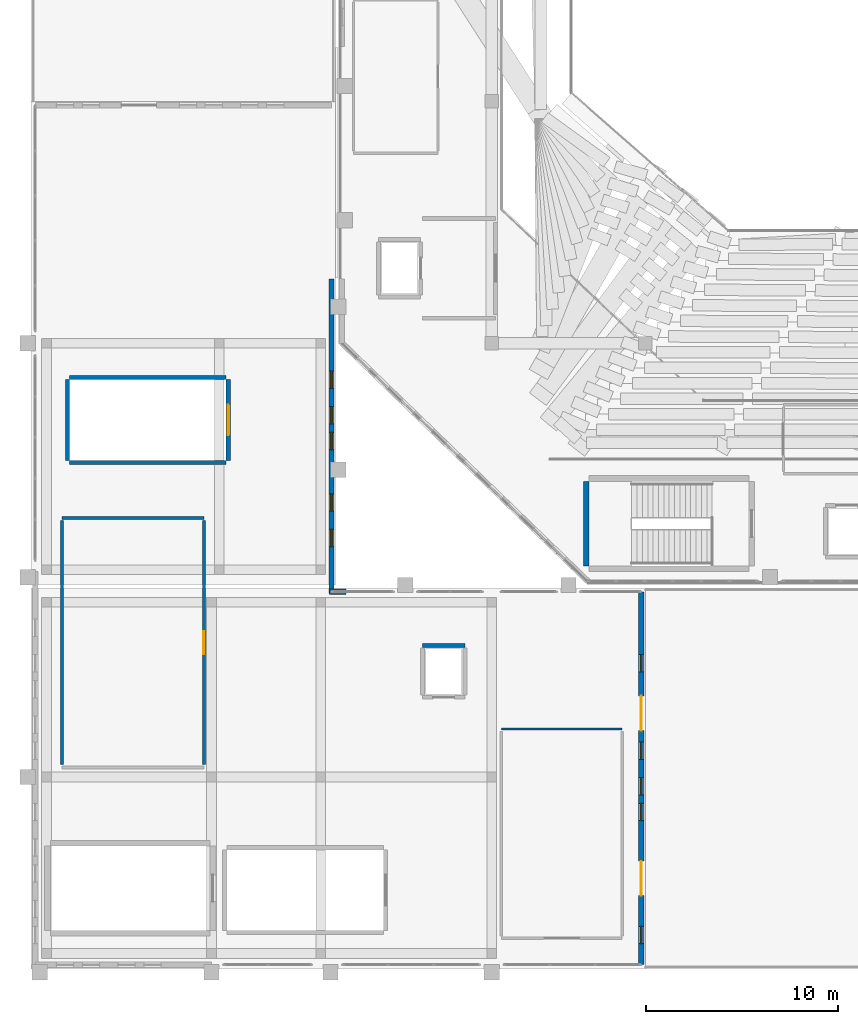
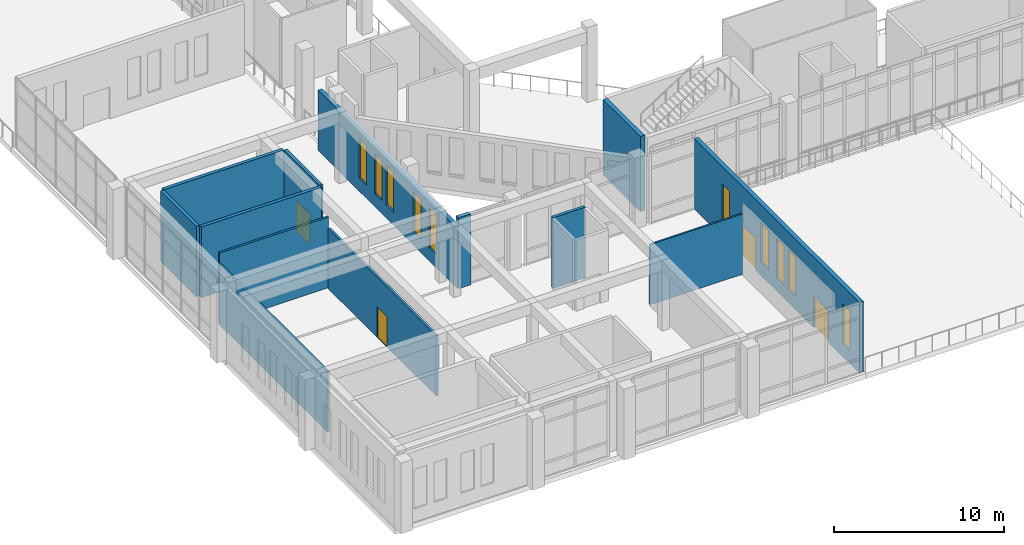
# One storey, part 43 of 55: 13 walls, 10 windows, 4 doors, 14 openings.
"""IFC4 building model written with IfcOpenShell, lengths in metres."""

from ifc_helpers import new_model, si_unit, derived_unit, direction, frame, frame_2d, origin, place, context, subcontext, project, spatial, rectangle, extrude, material, layer, layer_set, type_object, element, fill, save


model = new_model("IFC4")

# Units and contexts
model_context = context("Model", 3, precision=1e-05, world=origin(), true_north=direction((0.0, 1.0)))
body_context = subcontext(model_context, "Body", "Model", "MODEL_VIEW")
ifc_project = project(units=[si_unit("LENGTHUNIT", "METRE"), si_unit("AREAUNIT", "SQUARE_METRE"), si_unit("VOLUMEUNIT", "CUBIC_METRE"), si_unit("PLANEANGLEUNIT", "RADIAN"), si_unit("MASSUNIT", "GRAM", prefix="KILO"), derived_unit("THERMALTRANSMITTANCEUNIT", [(si_unit("MASSUNIT", "GRAM", prefix="KILO"), 1), (si_unit("TIMEUNIT", "SECOND"), -3), (si_unit("THERMODYNAMICTEMPERATUREUNIT", "KELVIN"), -1)])], contexts=[model_context])

# Site, building, storey
site_placement = place(None, origin())
site = spatial("IfcSite", under=ifc_project, at=site_placement, CompositionType="ELEMENT")
building_placement = place(site_placement, origin())
building = spatial("IfcBuilding", under=site, at=building_placement, Name="Valcora Ridge Arena", CompositionType="ELEMENT")
storey_placement = place(building_placement, frame((0.0, 0.0, 21.0)))
storey = spatial("IfcBuildingStorey", under=building, at=storey_placement, Name="L04", CompositionType="ELEMENT", Elevation=21.0)

# Wall, openings, windows
ifc_material_1 = material(Name="Bush-hammered Andean travertine on concrete backup C40/50", Category="masonry")
ifc_layer_1 = layer(ifc_material_1, 0.280029296875, Name="Bush-hammered Andean travertine on concrete backup C40/50")
ifc_layer_set_1 = layer_set([ifc_layer_1], Name="Bush-hammered Andean travertine on concrete backup C40/50")
wall_type_1 = type_object("IfcWallType", Name="TY-WALL-EW-TRV-28-43", PredefinedType="STANDARD", material=ifc_layer_set_1)
wall_1_placement = place(storey_placement, frame((15.64990234375, 19.550048828125, 0.0), z_axis=(0.0, 0.0, 1.0), x_axis=(0.0, 1.0, 0.0)))
wall_1 = element("IfcWall", 1, at=wall_1_placement, inside=storey, type_object=wall_type_1, Name="EW-TRV-28-43 WAL-EW-0102", PredefinedType="STANDARD", context=body_context, shape_type="SweptSolid", body=[
    extrude(rectangle(XDim=16.39990234375, YDim=0.280029296875, at=frame_2d((8.199951171875, 0.0))), origin(), (0.0, 0.0, 1.0), 4.330078125),
])
opening_1_placement = place(wall_1_placement, frame((2.449951171875, 0.0, 0.949951171875)))
opening_1 = element("IfcOpeningElement", 2, at=opening_1_placement, cuts=wall_1, Name="Opening W-GLAN-90X285", PredefinedType="OPENING", context=body_context, shape_type="SweptSolid", body=[
    extrude(rectangle(XDim=0.89990234375, YDim=2.85009765625, at=frame_2d((0.449951171875, 1.425048828125))), frame((0.0, 0.14990234375, 0.0), z_axis=(0.0, -1.0, 0.0), x_axis=(1.0, 0.0, 0.0)), (0.0, 0.0, 1.0), 0.300048828125),
])
opening_2_placement = place(wall_1_placement, frame((4.300048828125, 0.0, 0.949951171875)))
opening_2 = element("IfcOpeningElement", 3, at=opening_2_placement, cuts=wall_1, Name="Opening W-GLAN-90X285", PredefinedType="OPENING", context=body_context, shape_type="SweptSolid", body=[
    extrude(rectangle(XDim=0.89990234375, YDim=2.85009765625, at=frame_2d((0.449951171875, 1.425048828125))), frame((0.0, 0.14990234375, 0.0), z_axis=(0.0, -1.0, 0.0), x_axis=(1.0, 0.0, 0.0)), (0.0, 0.0, 1.0), 0.300048828125),
])
opening_3_placement = place(wall_1_placement, frame((7.5, 0.0, 0.949951171875)))
opening_3 = element("IfcOpeningElement", 4, at=opening_3_placement, cuts=wall_1, Name="Opening W-GLAN-90X285", PredefinedType="OPENING", context=body_context, shape_type="SweptSolid", body=[
    extrude(rectangle(XDim=0.89990234375, YDim=2.85009765625, at=frame_2d((0.449951171875, 1.425048828125))), frame((0.0, 0.14990234375, 0.0), z_axis=(0.0, -1.0, 0.0), x_axis=(1.0, 0.0, 0.0)), (0.0, 0.0, 1.0), 0.300048828125),
])
opening_4_placement = place(wall_1_placement, frame((8.85009765625, 0.0, 0.949951171875)))
opening_4 = element("IfcOpeningElement", 5, at=opening_4_placement, cuts=wall_1, Name="Opening W-GLAN-90X285", PredefinedType="OPENING", context=body_context, shape_type="SweptSolid", body=[
    extrude(rectangle(XDim=0.89990234375, YDim=2.85009765625, at=frame_2d((0.449951171875, 1.425048828125))), frame((0.0, 0.14990234375, 0.0), z_axis=(0.0, -1.0, 0.0), x_axis=(1.0, 0.0, 0.0)), (0.0, 0.0, 1.0), 0.300048828125),
])
opening_5_placement = place(wall_1_placement, frame((10.699951171875, 0.0, 0.949951171875)))
opening_5 = element("IfcOpeningElement", 6, at=opening_5_placement, cuts=wall_1, Name="Opening W-GLAN-90X285", PredefinedType="OPENING", context=body_context, shape_type="SweptSolid", body=[
    extrude(rectangle(XDim=0.89990234375, YDim=2.85009765625, at=frame_2d((0.449951171875, 1.425048828125))), frame((0.0, 0.14990234375, 0.0), z_axis=(0.0, -1.0, 0.0), x_axis=(1.0, 0.0, 0.0)), (0.0, 0.0, 1.0), 0.300048828125),
])
ifc_material_2 = material(Name="Low-iron solar-control double glazing SHGC 0.28", Category="glass")
window_type = type_object("IfcWindowType", Name="TY-WINDOW-W-GLAN-90X285", PartitioningType="DOUBLE_PANEL_VERTICAL", PredefinedType="WINDOW", material=ifc_material_2)
window_1_placement = place(opening_1_placement, origin())
window_1 = element("IfcWindow", 7, at=window_1_placement, inside=storey, type_object=window_type, Name="W-GLAN-90X285 WIN-EX-0337", OverallHeight=2.85009765625, OverallWidth=0.89990234375, PartitioningType="DOUBLE_PANEL_VERTICAL", PredefinedType="WINDOW", context=body_context, shape_type="SweptSolid", body=[
    extrude(rectangle(XDim=0.89990234375, YDim=2.85009765625, at=frame_2d((0.449951171875, 1.425048828125))), frame((0.0, 0.030029296875, 0.0), z_axis=(0.0, -1.0, 0.0), x_axis=(1.0, 0.0, 0.0)), (0.0, 0.0, 1.0), 0.06005859375),
])
fill(opening_1, window_1)
window_2_placement = place(opening_2_placement, origin())
window_2 = element("IfcWindow", 8, at=window_2_placement, inside=storey, type_object=window_type, Name="W-GLAN-90X285 WIN-EX-0338", OverallHeight=2.85009765625, OverallWidth=0.89990234375, PartitioningType="DOUBLE_PANEL_VERTICAL", PredefinedType="WINDOW", context=body_context, shape_type="SweptSolid", body=[
    extrude(rectangle(XDim=0.89990234375, YDim=2.85009765625, at=frame_2d((0.449951171875, 1.425048828125))), frame((0.0, 0.030029296875, 0.0), z_axis=(0.0, -1.0, 0.0), x_axis=(1.0, 0.0, 0.0)), (0.0, 0.0, 1.0), 0.06005859375),
])
fill(opening_2, window_2)
window_3_placement = place(opening_3_placement, origin())
window_3 = element("IfcWindow", 9, at=window_3_placement, inside=storey, type_object=window_type, Name="W-GLAN-90X285 WIN-EX-0339", OverallHeight=2.85009765625, OverallWidth=0.89990234375, PartitioningType="DOUBLE_PANEL_VERTICAL", PredefinedType="WINDOW", context=body_context, shape_type="SweptSolid", body=[
    extrude(rectangle(XDim=0.89990234375, YDim=2.85009765625, at=frame_2d((0.449951171875, 1.425048828125))), frame((0.0, 0.030029296875, 0.0), z_axis=(0.0, -1.0, 0.0), x_axis=(1.0, 0.0, 0.0)), (0.0, 0.0, 1.0), 0.06005859375),
])
fill(opening_3, window_3)
window_4_placement = place(opening_4_placement, origin())
window_4 = element("IfcWindow", 10, at=window_4_placement, inside=storey, type_object=window_type, Name="W-GLAN-90X285 WIN-EX-0340", OverallHeight=2.85009765625, OverallWidth=0.89990234375, PartitioningType="DOUBLE_PANEL_VERTICAL", PredefinedType="WINDOW", context=body_context, shape_type="SweptSolid", body=[
    extrude(rectangle(XDim=0.89990234375, YDim=2.85009765625, at=frame_2d((0.449951171875, 1.425048828125))), frame((0.0, 0.030029296875, 0.0), z_axis=(0.0, -1.0, 0.0), x_axis=(1.0, 0.0, 0.0)), (0.0, 0.0, 1.0), 0.06005859375),
])
fill(opening_4, window_4)
window_5_placement = place(opening_5_placement, origin())
window_5 = element("IfcWindow", 11, at=window_5_placement, inside=storey, type_object=window_type, Name="W-GLAN-90X285 WIN-EX-0341", OverallHeight=2.85009765625, OverallWidth=0.89990234375, PartitioningType="DOUBLE_PANEL_VERTICAL", PredefinedType="WINDOW", context=body_context, shape_type="SweptSolid", body=[
    extrude(rectangle(XDim=0.89990234375, YDim=2.85009765625, at=frame_2d((0.449951171875, 1.425048828125))), frame((0.0, 0.030029296875, 0.0), z_axis=(0.0, -1.0, 0.0), x_axis=(1.0, 0.0, 0.0)), (0.0, 0.0, 1.0), 0.06005859375),
])
fill(opening_5, window_5)

# Wall, openings, doors, windows
ifc_layer_2 = layer(ifc_material_1, 0.280029296875, Name="Bush-hammered Andean travertine on concrete backup C40/50")
ifc_layer_set_2 = layer_set([ifc_layer_2], Name="Bush-hammered Andean travertine on concrete backup C40/50")
wall_type_2 = type_object("IfcWallType", Name="TY-WALL-EW-TRV-28-51", PredefinedType="STANDARD", material=ifc_layer_set_2)
wall_2_placement = place(storey_placement, frame((31.800048828125, 0.219970703125, 0.0), z_axis=(0.0, 0.0, 1.0), x_axis=(0.0, 1.0, 0.0)))
wall_2 = element("IfcWall", 12, at=wall_2_placement, inside=storey, type_object=wall_type_2, Name="EW-TRV-28-51 WAL-EW-0099", PredefinedType="STANDARD", context=body_context, shape_type="SweptSolid", body=[
    extrude(rectangle(XDim=19.429931640625, YDim=0.280029296875, at=frame_2d((9.71484375, 0.0))), origin(), (0.0, 0.0, 1.0), 5.080078125),
])
opening_6_placement = place(wall_2_placement, frame((3.60009765625, 0.0, 0.0)))
opening_6 = element("IfcOpeningElement", 13, at=opening_6_placement, cuts=wall_2, Name="Opening D-TERR-1800", PredefinedType="OPENING", context=body_context, shape_type="SweptSolid", body=[
    extrude(rectangle(XDim=1.800048828125, YDim=2.300048828125, at=frame_2d((0.89990234375, 1.14990234375))), frame((0.0, 0.14990234375, 0.0), z_axis=(0.0, -1.0, 0.0), x_axis=(1.0, 0.0, 0.0)), (0.0, 0.0, 1.0), 0.300048828125),
])
opening_7_placement = place(wall_2_placement, frame((12.199951171875, 0.0, 0.0)))
opening_7 = element("IfcOpeningElement", 14, at=opening_7_placement, cuts=wall_2, Name="Opening D-TERR-1800", PredefinedType="OPENING", context=body_context, shape_type="SweptSolid", body=[
    extrude(rectangle(XDim=1.800048828125, YDim=2.300048828125, at=frame_2d((0.89990234375, 1.14990234375))), frame((0.0, 0.14990234375, 0.0), z_axis=(0.0, -1.0, 0.0), x_axis=(1.0, 0.0, 0.0)), (0.0, 0.0, 1.0), 0.300048828125),
])
opening_8_placement = place(wall_2_placement, frame((1.10009765625, 0.0, 0.949951171875)))
opening_8 = element("IfcOpeningElement", 15, at=opening_8_placement, cuts=wall_2, Name="Opening W-GLAN-90X285", PredefinedType="OPENING", context=body_context, shape_type="SweptSolid", body=[
    extrude(rectangle(XDim=0.89990234375, YDim=2.85009765625, at=frame_2d((0.449951171875, 1.425048828125))), frame((0.0, 0.14990234375, 0.0), z_axis=(0.0, -1.0, 0.0), x_axis=(1.0, 0.0, 0.0)), (0.0, 0.0, 1.0), 0.300048828125),
])
opening_9_placement = place(wall_2_placement, frame((7.5, 0.0, 0.949951171875)))
opening_9 = element("IfcOpeningElement", 16, at=opening_9_placement, cuts=wall_2, Name="Opening W-GLAN-90X285", PredefinedType="OPENING", context=body_context, shape_type="SweptSolid", body=[
    extrude(rectangle(XDim=0.89990234375, YDim=2.85009765625, at=frame_2d((0.449951171875, 1.425048828125))), frame((0.0, 0.14990234375, 0.0), z_axis=(0.0, -1.0, 0.0), x_axis=(1.0, 0.0, 0.0)), (0.0, 0.0, 1.0), 0.300048828125),
])
opening_10_placement = place(wall_2_placement, frame((8.85009765625, 0.0, 0.949951171875)))
opening_10 = element("IfcOpeningElement", 17, at=opening_10_placement, cuts=wall_2, Name="Opening W-GLAN-90X285", PredefinedType="OPENING", context=body_context, shape_type="SweptSolid", body=[
    extrude(rectangle(XDim=0.89990234375, YDim=2.85009765625, at=frame_2d((0.449951171875, 1.425048828125))), frame((0.0, 0.14990234375, 0.0), z_axis=(0.0, -1.0, 0.0), x_axis=(1.0, 0.0, 0.0)), (0.0, 0.0, 1.0), 0.300048828125),
])
opening_11_placement = place(wall_2_placement, frame((10.699951171875, 0.0, 0.949951171875)))
opening_11 = element("IfcOpeningElement", 18, at=opening_11_placement, cuts=wall_2, Name="Opening W-GLAN-90X285", PredefinedType="OPENING", context=body_context, shape_type="SweptSolid", body=[
    extrude(rectangle(XDim=0.89990234375, YDim=2.85009765625, at=frame_2d((0.449951171875, 1.425048828125))), frame((0.0, 0.14990234375, 0.0), z_axis=(0.0, -1.0, 0.0), x_axis=(1.0, 0.0, 0.0)), (0.0, 0.0, 1.0), 0.300048828125),
])
opening_12_placement = place(wall_2_placement, frame((15.25, 0.0, 0.949951171875)))
opening_12 = element("IfcOpeningElement", 19, at=opening_12_placement, cuts=wall_2, Name="Opening W-GLAN-90X285", PredefinedType="OPENING", context=body_context, shape_type="SweptSolid", body=[
    extrude(rectangle(XDim=0.89990234375, YDim=2.85009765625, at=frame_2d((0.449951171875, 1.425048828125))), frame((0.0, 0.14990234375, 0.0), z_axis=(0.0, -1.0, 0.0), x_axis=(1.0, 0.0, 0.0)), (0.0, 0.0, 1.0), 0.300048828125),
])
ifc_material_3 = material(Name="Thermally broken bronze aluminium glazed entrance leaf", Category="aluminium")
door_type_1 = type_object("IfcDoorType", Name="TY-DOOR-D-TERR-1800", OperationType="NOTDEFINED", PredefinedType="DOOR", material=ifc_material_3)
door_1_placement = place(opening_6_placement, origin())
door_1 = element("IfcDoor", 20, at=door_1_placement, inside=storey, type_object=door_type_1, Name="D-TERR-1800 DOR-EX-0021", OperationType="DOUBLE_DOOR_SINGLE_SWING", OverallHeight=2.300048828125, OverallWidth=1.800048828125, PredefinedType="DOOR", context=body_context, shape_type="SweptSolid", body=[
    extrude(rectangle(XDim=1.800048828125, YDim=2.300048828125, at=frame_2d((0.89990234375, 1.14990234375))), frame((0.0, 0.02490234375, 0.0), z_axis=(0.0, -1.0, 0.0), x_axis=(1.0, 0.0, 0.0)), (0.0, 0.0, 1.0), 0.050048828125),
])
fill(opening_6, door_1)
door_2_placement = place(opening_7_placement, origin())
door_2 = element("IfcDoor", 21, at=door_2_placement, inside=storey, type_object=door_type_1, Name="D-TERR-1800 DOR-EX-0022", OperationType="DOUBLE_DOOR_SINGLE_SWING", OverallHeight=2.300048828125, OverallWidth=1.800048828125, PredefinedType="DOOR", context=body_context, shape_type="SweptSolid", body=[
    extrude(rectangle(XDim=1.800048828125, YDim=2.300048828125, at=frame_2d((0.89990234375, 1.14990234375))), frame((0.0, 0.02490234375, 0.0), z_axis=(0.0, -1.0, 0.0), x_axis=(1.0, 0.0, 0.0)), (0.0, 0.0, 1.0), 0.050048828125),
])
fill(opening_7, door_2)
window_6_placement = place(opening_8_placement, origin())
window_6 = element("IfcWindow", 22, at=window_6_placement, inside=storey, type_object=window_type, Name="W-GLAN-90X285 WIN-EX-0316", OverallHeight=2.85009765625, OverallWidth=0.89990234375, PartitioningType="DOUBLE_PANEL_VERTICAL", PredefinedType="WINDOW", context=body_context, shape_type="SweptSolid", body=[
    extrude(rectangle(XDim=0.89990234375, YDim=2.85009765625, at=frame_2d((0.449951171875, 1.425048828125))), frame((0.0, 0.030029296875, 0.0), z_axis=(0.0, -1.0, 0.0), x_axis=(1.0, 0.0, 0.0)), (0.0, 0.0, 1.0), 0.06005859375),
])
fill(opening_8, window_6)
window_7_placement = place(opening_9_placement, origin())
window_7 = element("IfcWindow", 23, at=window_7_placement, inside=storey, type_object=window_type, Name="W-GLAN-90X285 WIN-EX-0317", OverallHeight=2.85009765625, OverallWidth=0.89990234375, PartitioningType="DOUBLE_PANEL_VERTICAL", PredefinedType="WINDOW", context=body_context, shape_type="SweptSolid", body=[
    extrude(rectangle(XDim=0.89990234375, YDim=2.85009765625, at=frame_2d((0.449951171875, 1.425048828125))), frame((0.0, 0.030029296875, 0.0), z_axis=(0.0, -1.0, 0.0), x_axis=(1.0, 0.0, 0.0)), (0.0, 0.0, 1.0), 0.06005859375),
])
fill(opening_9, window_7)
window_8_placement = place(opening_10_placement, origin())
window_8 = element("IfcWindow", 24, at=window_8_placement, inside=storey, type_object=window_type, Name="W-GLAN-90X285 WIN-EX-0318", OverallHeight=2.85009765625, OverallWidth=0.89990234375, PartitioningType="DOUBLE_PANEL_VERTICAL", PredefinedType="WINDOW", context=body_context, shape_type="SweptSolid", body=[
    extrude(rectangle(XDim=0.89990234375, YDim=2.85009765625, at=frame_2d((0.449951171875, 1.425048828125))), frame((0.0, 0.030029296875, 0.0), z_axis=(0.0, -1.0, 0.0), x_axis=(1.0, 0.0, 0.0)), (0.0, 0.0, 1.0), 0.06005859375),
])
fill(opening_10, window_8)
window_9_placement = place(opening_11_placement, origin())
window_9 = element("IfcWindow", 25, at=window_9_placement, inside=storey, type_object=window_type, Name="W-GLAN-90X285 WIN-EX-0319", OverallHeight=2.85009765625, OverallWidth=0.89990234375, PartitioningType="DOUBLE_PANEL_VERTICAL", PredefinedType="WINDOW", context=body_context, shape_type="SweptSolid", body=[
    extrude(rectangle(XDim=0.89990234375, YDim=2.85009765625, at=frame_2d((0.449951171875, 1.425048828125))), frame((0.0, 0.030029296875, 0.0), z_axis=(0.0, -1.0, 0.0), x_axis=(1.0, 0.0, 0.0)), (0.0, 0.0, 1.0), 0.06005859375),
])
fill(opening_11, window_9)
window_10_placement = place(opening_12_placement, origin())
window_10 = element("IfcWindow", 26, at=window_10_placement, inside=storey, type_object=window_type, Name="W-GLAN-90X285 WIN-EX-0320", OverallHeight=2.85009765625, OverallWidth=0.89990234375, PartitioningType="DOUBLE_PANEL_VERTICAL", PredefinedType="WINDOW", context=body_context, shape_type="SweptSolid", body=[
    extrude(rectangle(XDim=0.89990234375, YDim=2.85009765625, at=frame_2d((0.449951171875, 1.425048828125))), frame((0.0, 0.030029296875, 0.0), z_axis=(0.0, -1.0, 0.0), x_axis=(1.0, 0.0, 0.0)), (0.0, 0.0, 1.0), 0.06005859375),
])
fill(opening_12, window_10)

# Walls
wall_3_placement = place(storey_placement, frame((15.550048828125, 19.64990234375, 0.0), z_axis=(0.0, 0.0, 1.0), x_axis=(1.0, 0.0, 0.0)))
element("IfcWall", 27, at=wall_3_placement, inside=storey, type_object=wall_type_2, Name="EW-TRV-28-51 WAL-EW-0103", PredefinedType="STANDARD", context=body_context, shape_type="SweptSolid", body=[
    extrude(rectangle(XDim=0.849853515625, YDim=0.280029296875, at=frame_2d((0.4248046875, 0.0))), origin(), (0.0, 0.0, 1.0), 5.080078125),
])
ifc_material_4 = material(Name="Fire-rated masonry-core compartment wall C35/45 150 mm", Category="masonry")
ifc_layer_3 = layer(ifc_material_4, 0.14990234375, Name="Fire-rated masonry-core compartment wall C35/45 150 mm")
ifc_layer_set_3 = layer_set([ifc_layer_3], Name="Fire-rated masonry-core compartment wall C35/45 150 mm")
wall_type_3 = type_object("IfcWallType", Name="TY-WALL-IW-COMP-150", PredefinedType="STANDARD", material=ifc_layer_set_3)
wall_4_placement = place(storey_placement, frame((1.60009765625, 23.5, 0.0), z_axis=(0.0, 0.0, 1.0), x_axis=(1.0, 0.0, 0.0)))
element("IfcWall", 28, at=wall_4_placement, inside=storey, type_object=wall_type_3, Name="IW-COMP-150 WAL-IN-0476", PredefinedType="STANDARD", context=body_context, shape_type="SweptSolid", body=[
    extrude(rectangle(XDim=7.39990234375, YDim=0.14990234375, at=frame_2d((3.699951171875, 0.0))), origin(), (0.0, 0.0, 1.0), 5.080078125),
])
wall_5_placement = place(storey_placement, frame((1.60009765625, 10.64990234375, 0.0), z_axis=(0.0, 0.0, 1.0), x_axis=(0.0, 1.0, 0.0)))
element("IfcWall", 29, at=wall_5_placement, inside=storey, type_object=wall_type_3, Name="IW-COMP-150 WAL-IN-0477", PredefinedType="STANDARD", context=body_context, shape_type="SweptSolid", body=[
    extrude(rectangle(XDim=12.7001953125, YDim=0.14990234375, at=frame_2d((6.35009765625, 0.0))), origin(), (0.0, 0.0, 1.0), 4.330078125),
])

# Wall, opening, door
wall_6_placement = place(storey_placement, frame((9.0, 10.64990234375, 0.0), z_axis=(0.0, 0.0, 1.0), x_axis=(0.0, 1.0, 0.0)))
wall_6 = element("IfcWall", 30, at=wall_6_placement, inside=storey, type_object=wall_type_3, Name="IW-COMP-150 WAL-IN-0478", PredefinedType="STANDARD", context=body_context, shape_type="SweptSolid", body=[
    extrude(rectangle(XDim=12.7001953125, YDim=0.14990234375, at=frame_2d((6.35009765625, 0.0))), origin(), (0.0, 0.0, 1.0), 4.330078125),
])
opening_13_placement = place(wall_6_placement, frame((5.75, 0.0, 0.0)))
opening_13 = element("IfcOpeningElement", 31, at=opening_13_placement, cuts=wall_6, Name="Opening FD-KIT-1200", PredefinedType="OPENING", context=body_context, shape_type="SweptSolid", body=[
    extrude(rectangle(XDim=1.199951171875, YDim=2.199951171875, at=frame_2d((0.60009765625, 1.10009765625))), frame((0.0, 0.0849609375, 0.0), z_axis=(0.0, -1.0, 0.0), x_axis=(1.0, 0.0, 0.0)), (0.0, 0.0, 1.0), 0.169921875),
])
ifc_material_5 = material(Name="Insulated fire-rated steel door leaf", Category="steel")
door_type_2 = type_object("IfcDoorType", Name="TY-DOOR-FD-KIT-1200", OperationType="NOTDEFINED", PredefinedType="DOOR", material=ifc_material_5)
door_3_placement = place(opening_13_placement, origin())
door_3 = element("IfcDoor", 32, at=door_3_placement, inside=storey, type_object=door_type_2, Name="FD-KIT-1200 DOR-IN-0124", OperationType="SINGLE_SWING_RIGHT", OverallHeight=2.199951171875, OverallWidth=1.199951171875, PredefinedType="DOOR", context=body_context, shape_type="SweptSolid", body=[
    extrude(rectangle(XDim=1.199951171875, YDim=2.199951171875, at=frame_2d((0.60009765625, 1.10009765625))), frame((0.0, 0.02490234375, 0.0), z_axis=(0.0, -1.0, 0.0), x_axis=(1.0, 0.0, 0.0)), (0.0, 0.0, 1.0), 0.050048828125),
])
fill(opening_13, door_3)

# Walls
ifc_material_6 = material(Name="Acoustic metal-stud gypsum partition 120 mm")
ifc_layer_4 = layer(ifc_material_6, 0.1201171875, Name="Acoustic metal-stud gypsum partition 120 mm")
ifc_layer_set_4 = layer_set([ifc_layer_4], Name="Acoustic metal-stud gypsum partition 120 mm")
wall_type_4 = type_object("IfcWallType", Name="TY-WALL-IW-PART-120", PredefinedType="PARTITIONING", material=ifc_layer_set_4)
wall_7_placement = place(storey_placement, frame((24.5, 12.5, 0.0), z_axis=(0.0, 0.0, 1.0), x_axis=(1.0, 0.0, 0.0)))
element("IfcWall", 33, at=wall_7_placement, inside=storey, type_object=wall_type_4, Name="IW-PART-120 WAL-IN-0472", PredefinedType="PARTITIONING", context=body_context, shape_type="SweptSolid", body=[
    extrude(rectangle(XDim=6.300048828125, YDim=0.1201171875, at=frame_2d((3.14990234375, 0.0))), origin(), (0.0, 0.0, 1.0), 4.330078125),
])
ifc_material_7 = material(Name="Concrete C40/50", Category="concrete")
ifc_layer_5 = layer(ifc_material_7, 0.199951171875, Name="Concrete C40/50")
ifc_layer_set_5 = layer_set([ifc_layer_5], Name="Concrete C40/50")
wall_type_5 = type_object("IfcWallType", Name="TY-WALL-IW-SHF-200", PredefinedType="STANDARD", material=ifc_layer_set_5)
wall_8_placement = place(storey_placement, frame((20.39990234375, 16.85009765625, 0.0), z_axis=(0.0, 0.0, 1.0), x_axis=(1.0, 0.0, 0.0)))
element("IfcWall", 34, at=wall_8_placement, inside=storey, type_object=wall_type_5, Name="IW-SHF-200 WAL-SH-0190", PredefinedType="STANDARD", context=body_context, shape_type="SweptSolid", body=[
    extrude(rectangle(XDim=2.2001953125, YDim=0.199951171875, at=frame_2d((1.10009765625, 0.0))), origin(), (0.0, 0.0, 1.0), 5.080078125),
])
ifc_material_8 = material(Name="Concrete C45/55", Category="concrete")
ifc_layer_6 = layer(ifc_material_8, 0.300048828125, Name="Concrete C45/55")
ifc_layer_set_6 = layer_set([ifc_layer_6], Name="Concrete C45/55")
wall_type_6 = type_object("IfcWallType", Name="TY-WALL-SW-C300-S", PredefinedType="SHEAR", material=ifc_layer_set_6)
wall_9_placement = place(storey_placement, frame((28.929931640625, 21.0, 0.0), z_axis=(0.0, 0.0, 1.0), x_axis=(0.0, 1.0, 0.0)))
element("IfcWall", 35, at=wall_9_placement, inside=storey, type_object=wall_type_6, Name="SW-C300-S WAL-CR-0023", PredefinedType="SHEAR", context=body_context, shape_type="SweptSolid", body=[
    extrude(rectangle(XDim=4.39990234375, YDim=0.300048828125, at=frame_2d((2.199951171875, 0.0))), origin(), (0.0, 0.0, 1.0), 5.39990234375),
])
ifc_material_9 = material(Name="Fire-resisting reinforced concrete enclosure C40/50 200 mm", Category="concrete")
ifc_layer_7 = layer(ifc_material_9, 0.219970703125, Name="Fire-resisting reinforced concrete enclosure C40/50 200 mm")
ifc_layer_set_7 = layer_set([ifc_layer_7], Name="Fire-resisting reinforced concrete enclosure C40/50 200 mm")
wall_type_7 = type_object("IfcWallType", Name="TY-WALL-SW-ES-220", PredefinedType="SHEAR", material=ifc_layer_set_7)
for number, where, z_axis, x_axis, name in (
    (36, (2.0, 26.389892578125, 0.0), (0.0, 0.0, 1.0), (1.0, 0.0, 0.0), "SW-ES-220 WAL-ES-0145"),
    (37, (2.0, 30.81005859375, 0.0), (0.0, 0.0, 1.0), (1.0, 0.0, 0.0), "SW-ES-220 WAL-ES-0146"),
):
    element("IfcWall", number, at=place(storey_placement, frame(where, z_axis=z_axis, x_axis=x_axis)), inside=storey, type_object=wall_type_7, Name=name, PredefinedType="SHEAR", context=body_context, shape_type="SweptSolid", body=[
        extrude(rectangle(XDim=8.159912109375, YDim=0.219970703125, at=frame_2d((4.080078125, 0.0))), origin(), (0.0, 0.0, 1.0), 5.080078125),
    ])
wall_10_placement = place(storey_placement, frame((1.889892578125, 26.5, 0.0), z_axis=(0.0, 0.0, 1.0), x_axis=(0.0, 1.0, 0.0)))
element("IfcWall", 38, at=wall_10_placement, inside=storey, type_object=wall_type_7, Name="SW-ES-220 WAL-ES-0147", PredefinedType="SHEAR", context=body_context, shape_type="SweptSolid", body=[
    extrude(rectangle(XDim=4.199951171875, YDim=0.219970703125, at=frame_2d((2.10009765625, 0.0))), origin(), (0.0, 0.0, 1.0), 5.080078125),
])

# Wall, opening, door
wall_11_placement = place(storey_placement, frame((10.27001953125, 26.5, 0.0), z_axis=(0.0, 0.0, 1.0), x_axis=(0.0, 1.0, 0.0)))
wall_11 = element("IfcWall", 39, at=wall_11_placement, inside=storey, type_object=wall_type_7, Name="SW-ES-220 WAL-ES-0148", PredefinedType="SHEAR", context=body_context, shape_type="SweptSolid", body=[
    extrude(rectangle(XDim=4.199951171875, YDim=0.219970703125, at=frame_2d((2.10009765625, 0.0))), origin(), (0.0, 0.0, 1.0), 5.080078125),
])
opening_14_placement = place(wall_11_placement, frame((1.300048828125, 0.0, 0.0)))
opening_14 = element("IfcOpeningElement", 40, at=opening_14_placement, cuts=wall_11, Name="Opening FD-02", PredefinedType="OPENING", context=body_context, shape_type="SweptSolid", body=[
    extrude(rectangle(XDim=1.60009765625, YDim=2.199951171875, at=frame_2d((0.800048828125, 1.10009765625))), frame((0.0, 0.119873046875, 0.0), z_axis=(0.0, -1.0, 0.0), x_axis=(1.0, 0.0, 0.0)), (0.0, 0.0, 1.0), 0.239990234375),
])
door_type_3 = type_object("IfcDoorType", Name="TY-DOOR-FD-02", OperationType="NOTDEFINED", PredefinedType="DOOR", material=ifc_material_5)
door_4_placement = place(opening_14_placement, origin())
door_4 = element("IfcDoor", 41, at=door_4_placement, inside=storey, type_object=door_type_3, Name="FD-02 DOR-ES-0033", OperationType="DOUBLE_DOOR_SINGLE_SWING", OverallHeight=2.199951171875, OverallWidth=1.60009765625, PredefinedType="DOOR", context=body_context, shape_type="SweptSolid", body=[
    extrude(rectangle(XDim=1.60009765625, YDim=2.199951171875, at=frame_2d((0.800048828125, 1.10009765625))), frame((0.0, 0.02490234375, 0.0), z_axis=(0.0, -1.0, 0.0), x_axis=(1.0, 0.0, 0.0)), (0.0, 0.0, 1.0), 0.050048828125),
])
fill(opening_14, door_4)

save(model, "model.ifc")
